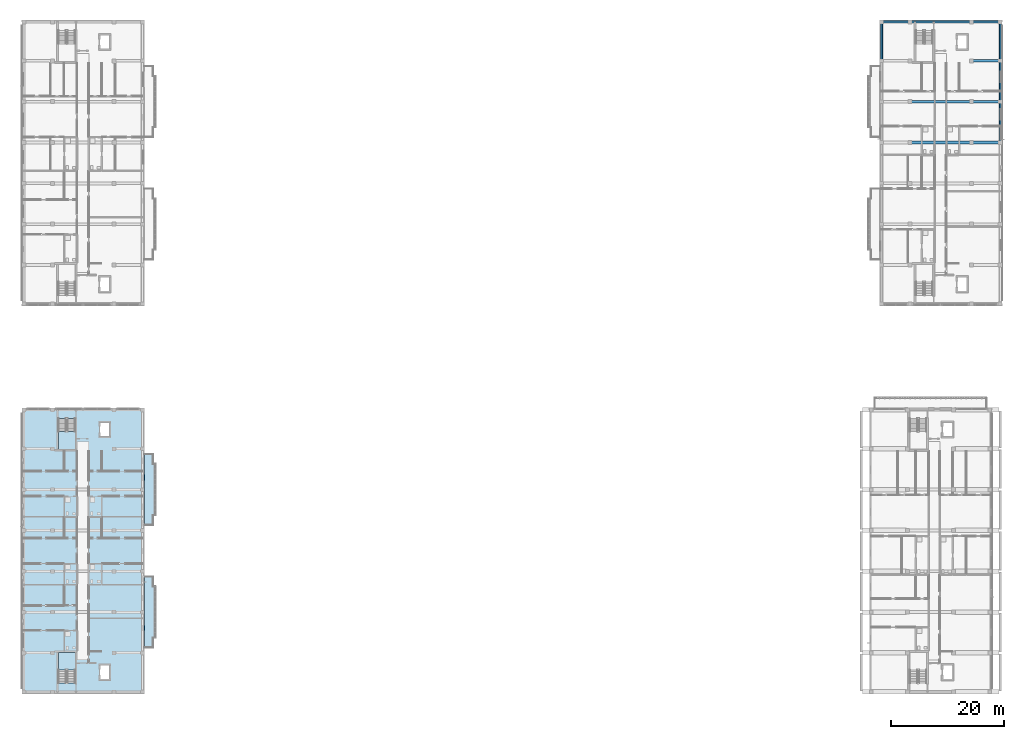
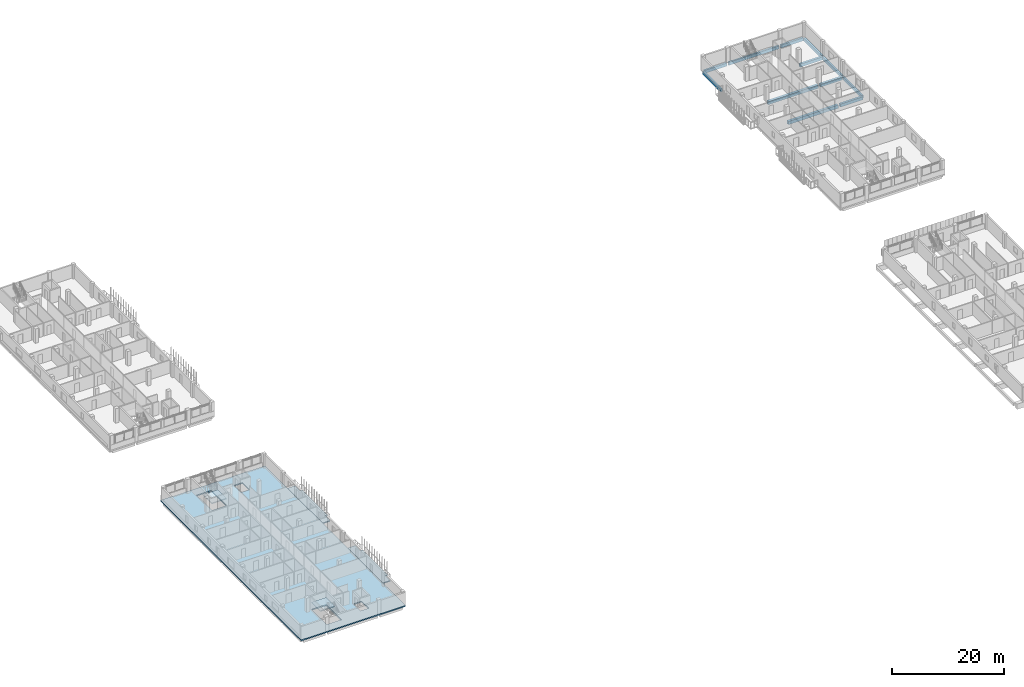
# One storey, part 20 of 51: 12 beams, 5 slabs, 2 elements without a shape of their own.
"""IFC4 building model written with IfcOpenShell, lengths in metres."""

from ifc_helpers import new_model, si_unit, derived_unit, direction, frame, origin, origin_2d, place, context, subcontext, project, spatial, polyline, rectangle, outline, extrude, material, layer, layer_set, material_profile, profile_set, type_object, element, aggregate, save


model = new_model("IFC4")

# Units and contexts
model_context = context("Model", 3, precision=1e-05, world=origin(), true_north=direction((0.0, 1.0)))
body_context = subcontext(model_context, "Body", "Model", "MODEL_VIEW")
ifc_project = project(units=[si_unit("LENGTHUNIT", "METRE"), si_unit("AREAUNIT", "SQUARE_METRE"), si_unit("VOLUMEUNIT", "CUBIC_METRE"), si_unit("PLANEANGLEUNIT", "RADIAN"), si_unit("MASSUNIT", "GRAM", prefix="KILO"), derived_unit("THERMALTRANSMITTANCEUNIT", [(si_unit("MASSUNIT", "GRAM", prefix="KILO"), 1), (si_unit("TIMEUNIT", "SECOND"), -3), (si_unit("THERMODYNAMICTEMPERATUREUNIT", "KELVIN"), -1)])], contexts=[model_context])

# Site, building, storey
site_placement = place(None, origin())
site = spatial("IfcSite", under=ifc_project, at=site_placement, CompositionType="ELEMENT")
building_placement = place(site_placement, origin())
building = spatial("IfcBuilding", under=site, at=building_placement, Name="Ochrekiln Boulevard Commons", CompositionType="ELEMENT")
storey_placement = place(building_placement, frame((0.0, 0.0, 18.375)))
storey = spatial("IfcBuildingStorey", under=building, at=storey_placement, Name="L05", CompositionType="ELEMENT", Elevation=18.375)

# Beams
ifc_material_1 = material(Name="Concrete C35/45", Category="concrete")
ifc_material_profile_1 = material_profile(ifc_material_1, rectangle(XDim=0.449951171875, YDim=0.64990234375, at=origin_2d()), Name="RC-BM-450x650")
ifc_profile_set_1 = profile_set([ifc_material_profile_1], Name="Concrete C35/45")
beam_type_1 = type_object("IfcBeamType", Name="BM-RC-450x650", PredefinedType="BEAM", material=ifc_profile_set_1)
for number, where, z_axis, x_axis, name in (
    (1, (167.610107421875, 97.199951171875, -0.5849609375), (1.0, 0.0, 0.0), (0.0, 1.0, 0.0), "Block B L05 Beam B-4565 X14"),
    (2, (167.610107421875, 104.39990234375, -0.5849609375), (1.0, 0.0, 0.0), (0.0, 1.0, 0.0), "Block B L05 Beam B-4565 X17"),
    (3, (167.610107421875, 111.60009765625, -0.5849609375), (1.0, 0.0, 0.0), (0.0, 1.0, 0.0), "Block B L05 Beam B-4565 X19"),
):
    element("IfcBeam", number, at=place(storey_placement, frame(where, z_axis=z_axis, x_axis=x_axis)), inside=storey, type_object=beam_type_1, Name=name, PredefinedType="BEAM", context=body_context, shape_type="SweptSolid", body=[
        extrude(rectangle(XDim=0.449951171875, YDim=0.64990234375, at=origin_2d()), origin(), (0.0, 0.0, 1.0), 4.6298828125),
    ])
ifc_material_2 = material(Name="Concrete C40/50", Category="concrete")
ifc_material_profile_2 = material_profile(ifc_material_2, rectangle(XDim=0.5, YDim=0.699951171875, at=origin_2d()), Name="RC-BM-500x700")
ifc_profile_set_2 = profile_set([ifc_material_profile_2], Name="Concrete C40/50")
beam_type_2 = type_object("IfcBeamType", Name="BM-RC-500x700", PredefinedType="BEAM", material=ifc_profile_set_2)
for number, where, z_axis, x_axis, name in (
    (4, (156.81005859375, 97.199951171875, -0.610107421875), (1.0, 0.0, 0.0), (0.0, 1.0, 0.0), "Block B L05 Beam B-5070 X13"),
    (5, (156.81005859375, 104.39990234375, -0.610107421875), (1.0, 0.0, 0.0), (0.0, 1.0, 0.0), "Block B L05 Beam B-5070 X16"),
):
    element("IfcBeam", number, at=place(storey_placement, frame(where, z_axis=z_axis, x_axis=x_axis)), inside=storey, type_object=beam_type_2, Name=name, PredefinedType="BEAM", context=body_context, shape_type="SweptSolid", body=[
        extrude(rectangle(XDim=0.5, YDim=0.699951171875, at=origin_2d()), origin(), (0.0, 0.0, 1.0), 10.3798828125),
    ])
ifc_material_profile_3 = material_profile(ifc_material_2, rectangle(XDim=0.35009765625, YDim=0.64990234375, at=origin_2d()), Name="RC-SPN-350x650")
ifc_profile_set_3 = profile_set([ifc_material_profile_3], Name="Concrete C40/50")
beam_type_3 = type_object("IfcBeamType", Name="SPN-RC-350x650", PredefinedType="SPANDREL", material=ifc_profile_set_3)
beam_1_placement = place(storey_placement, frame((151.760009765625, 118.449951171875, -0.5849609375), z_axis=(1.0, 0.0, 0.0), x_axis=(0.0, 1.0, 0.0)))
element("IfcBeam", 6, at=beam_1_placement, inside=storey, type_object=beam_type_3, Name="Block B L05 Beam SP-3565 X20", PredefinedType="SPANDREL", context=body_context, shape_type="SweptSolid", body=[
    extrude(rectangle(XDim=0.35009765625, YDim=0.64990234375, at=origin_2d()), origin(), (0.0, 0.0, 1.0), 4.6298828125),
])
beam_2_placement = place(storey_placement, frame((156.81005859375, 118.449951171875, -0.5849609375), z_axis=(1.0, 0.0, 0.0), x_axis=(0.0, 1.0, 0.0)))
element("IfcBeam", 7, at=beam_2_placement, inside=storey, type_object=beam_type_3, Name="Block B L05 Beam SP-3565 X21", PredefinedType="SPANDREL", context=body_context, shape_type="SweptSolid", body=[
    extrude(rectangle(XDim=0.35009765625, YDim=0.64990234375, at=origin_2d()), origin(), (0.0, 0.0, 1.0), 10.3798828125),
])
beam_3_placement = place(storey_placement, frame((167.610107421875, 118.449951171875, -0.5849609375), z_axis=(1.0, 0.0, 0.0), x_axis=(0.0, 1.0, 0.0)))
element("IfcBeam", 8, at=beam_3_placement, inside=storey, type_object=beam_type_3, Name="Block B L05 Beam SP-3565 X22", PredefinedType="SPANDREL", context=body_context, shape_type="SweptSolid", body=[
    extrude(rectangle(XDim=0.35009765625, YDim=0.64990234375, at=origin_2d()), origin(), (0.0, 0.0, 1.0), 4.6298828125),
])
beam_4_placement = place(storey_placement, frame((151.550048828125, 111.81005859375, -0.5849609375), z_axis=(0.0, 1.0, 0.0), x_axis=(-1.0, 0.0, 0.0)))
element("IfcBeam", 9, at=beam_4_placement, inside=storey, type_object=beam_type_3, Name="Block B L05 Beam SP-3565 Y29", PredefinedType="SPANDREL", context=body_context, shape_type="SweptSolid", body=[
    extrude(rectangle(XDim=0.35009765625, YDim=0.64990234375, at=origin_2d()), origin(), (0.0, 0.0, 1.0), 6.429931640625),
])
beam_5_placement = place(storey_placement, frame((172.449951171875, 97.409912109375, -0.5849609375), z_axis=(0.0, 1.0, 0.0), x_axis=(-1.0, 0.0, 0.0)))
element("IfcBeam", 10, at=beam_5_placement, inside=storey, type_object=beam_type_3, Name="Block B L05 Beam SP-3565 Y34", PredefinedType="SPANDREL", context=body_context, shape_type="SweptSolid", body=[
    extrude(rectangle(XDim=0.35009765625, YDim=0.64990234375, at=origin_2d()), origin(), (0.0, 0.0, 1.0), 6.780029296875),
])
beam_6_placement = place(storey_placement, frame((172.449951171875, 104.610107421875, -0.5849609375), z_axis=(0.0, 1.0, 0.0), x_axis=(-1.0, 0.0, 0.0)))
element("IfcBeam", 11, at=beam_6_placement, inside=storey, type_object=beam_type_3, Name="Block B L05 Beam SP-3565 Y35", PredefinedType="SPANDREL", context=body_context, shape_type="SweptSolid", body=[
    extrude(rectangle(XDim=0.35009765625, YDim=0.64990234375, at=origin_2d()), origin(), (0.0, 0.0, 1.0), 6.77978515625),
])
beam_7_placement = place(storey_placement, frame((172.449951171875, 111.81005859375, -0.5849609375), z_axis=(0.0, 1.0, 0.0), x_axis=(-1.0, 0.0, 0.0)))
element("IfcBeam", 12, at=beam_7_placement, inside=storey, type_object=beam_type_3, Name="Block B L05 Beam SP-3565 Y36", PredefinedType="SPANDREL", context=body_context, shape_type="SweptSolid", body=[
    extrude(rectangle(XDim=0.35009765625, YDim=0.64990234375, at=origin_2d()), origin(), (0.0, 0.0, 1.0), 6.429931640625),
])

# Slabs
ifc_layer_1 = layer(ifc_material_1, 0.219970703125)
ifc_layer_set_1 = layer_set([ifc_layer_1], Name="Concrete C35/45")
slab_type_1 = type_object("IfcSlabType", Name="SLB-BAL-220", PredefinedType="FLOOR", material=ifc_layer_set_1)
slab_1_placement = place(storey_placement, frame((0.0, 0.0, -0.219970703125)))
element("IfcSlab", 13, at=slab_1_placement, inside=storey, type_object=slab_type_1, Name="Block D L05 Planter-Box Balcony Slab 1", PredefinedType="FLOOR", context=body_context, shape_type="SweptSolid", body=[
    extrude(outline(polyline([(21.60009765625, 8.10009765625), (23.14990234375, 8.10009765625), (23.14990234375, 9.89990234375), (23.60009765625, 9.89990234375), (23.60009765625, 18.89990234375), (23.14990234375, 18.89990234375), (23.14990234375, 20.699951171875), (21.60009765625, 20.699951171875), (21.60009765625, 8.10009765625)])), origin(), (0.0, 0.0, 1.0), 0.219970703125),
])
slab_2_placement = place(storey_placement, frame((0.0, 0.0, -0.219970703125)))
element("IfcSlab", 14, at=slab_2_placement, inside=storey, type_object=slab_type_1, Name="Block D L05 Planter-Box Balcony Slab 2", PredefinedType="FLOOR", context=body_context, shape_type="SweptSolid", body=[
    extrude(outline(polyline([(21.60009765625, 29.699951171875), (23.14990234375, 29.699951171875), (23.14990234375, 31.5), (23.60009765625, 31.5), (23.60009765625, 40.5), (23.14990234375, 40.5), (23.14990234375, 42.300048828125), (21.60009765625, 42.300048828125), (21.60009765625, 29.699951171875)])), origin(), (0.0, 0.0, 1.0), 0.219970703125),
])

# Stair, slab
stair_type = type_object("IfcStairType", Name="STR-DL-315", PredefinedType="TWO_STRAIGHT_RUN_STAIR", material=ifc_material_1)
stair_1_placement = place(storey_placement, origin())
stair_1 = element("IfcStair", 15, at=stair_1_placement, inside=storey, type_object=stair_type, Name="L05 Enclosed Exit Stair ST-D1", PredefinedType="TWO_STRAIGHT_RUN_STAIR")
ifc_layer_2 = layer(ifc_material_1, 0.199951171875)
ifc_layer_set_2 = layer_set([ifc_layer_2], Name="Concrete C35/45")
slab_type_2 = type_object("IfcSlabType", Name="SLB-LND-200", PredefinedType="LANDING", material=ifc_layer_set_2)
slab_3_placement = place(storey_placement, frame((0.0, 0.0, 1.375)))
slab_3 = element("IfcSlab", 16, at=slab_3_placement, type_object=slab_type_2, Name="ST-D1 landing 1", PredefinedType="LANDING", context=body_context, shape_type="SweptSolid", body=[
    extrude(outline(polyline([(9.39990234375, 4.18994140625), (9.39990234375, 7.320068359375), (6.39990234375, 7.320068359375), (6.39990234375, 4.18994140625), (9.39990234375, 4.18994140625)])), origin(), (0.0, 0.0, 1.0), 0.199951171875),
])
aggregate(stair_1, [slab_3])

stair_2_placement = place(storey_placement, origin())
stair_2 = element("IfcStair", 17, at=stair_2_placement, inside=storey, type_object=stair_type, Name="L05 Enclosed Exit Stair ST-D2", PredefinedType="TWO_STRAIGHT_RUN_STAIR")
slab_4_placement = place(storey_placement, frame((0.0, 0.0, 1.375)))
slab_4 = element("IfcSlab", 18, at=slab_4_placement, type_object=slab_type_2, Name="ST-D2 landing 1", PredefinedType="LANDING", context=body_context, shape_type="SweptSolid", body=[
    extrude(outline(polyline([(6.39990234375, 46.2099609375), (6.39990234375, 43.080078125), (9.39990234375, 43.080078125), (9.39990234375, 46.2099609375), (6.39990234375, 46.2099609375)])), origin(), (0.0, 0.0, 1.0), 0.199951171875),
])
aggregate(stair_2, [slab_4])

# Slab
ifc_layer_3 = layer(ifc_material_1, 0.260009765625)
ifc_layer_set_3 = layer_set([ifc_layer_3], Name="Concrete C35/45")
slab_type_3 = type_object("IfcSlabType", Name="SLB-RES-260", PredefinedType="FLOOR", material=ifc_layer_set_3)
slab_5_placement = place(storey_placement, frame((0.0, 0.0, -0.260009765625)))
element("IfcSlab", 19, at=slab_5_placement, inside=storey, type_object=slab_type_3, Name="Block D L05 Reinforced Concrete Floor Slab", PredefinedType="FLOOR", context=body_context, shape_type="SweptSolid", body=[
    extrude(outline(polyline([(0.0, 0.0), (21.60009765625, 0.0), (21.60009765625, 50.39990234375), (0.0, 50.39990234375), (0.0, 0.0)]), holes=[polyline([(9.39990234375, 1.87060546875), (9.39990234375, 7.320068359375), (6.39990234375, 7.320068359375), (6.39990234375, 1.87060546875), (9.39990234375, 1.87060546875)]), polyline([(6.39990234375, 48.529541015625), (6.39990234375, 43.080078125), (9.39990234375, 43.080078125), (9.39990234375, 48.529541015625), (6.39990234375, 48.529541015625)]), polyline([(13.75, 2.550048828125), (15.449951171875, 2.550048828125), (15.449951171875, 5.050048828125), (13.75, 5.050048828125), (13.75, 2.550048828125)]), polyline([(13.75, 45.35009765625), (15.449951171875, 45.35009765625), (15.449951171875, 47.85009765625), (13.75, 47.85009765625), (13.75, 45.35009765625)])]), origin(), (0.0, 0.0, 1.0), 0.260009765625),
])

save(model, "model.ifc")
